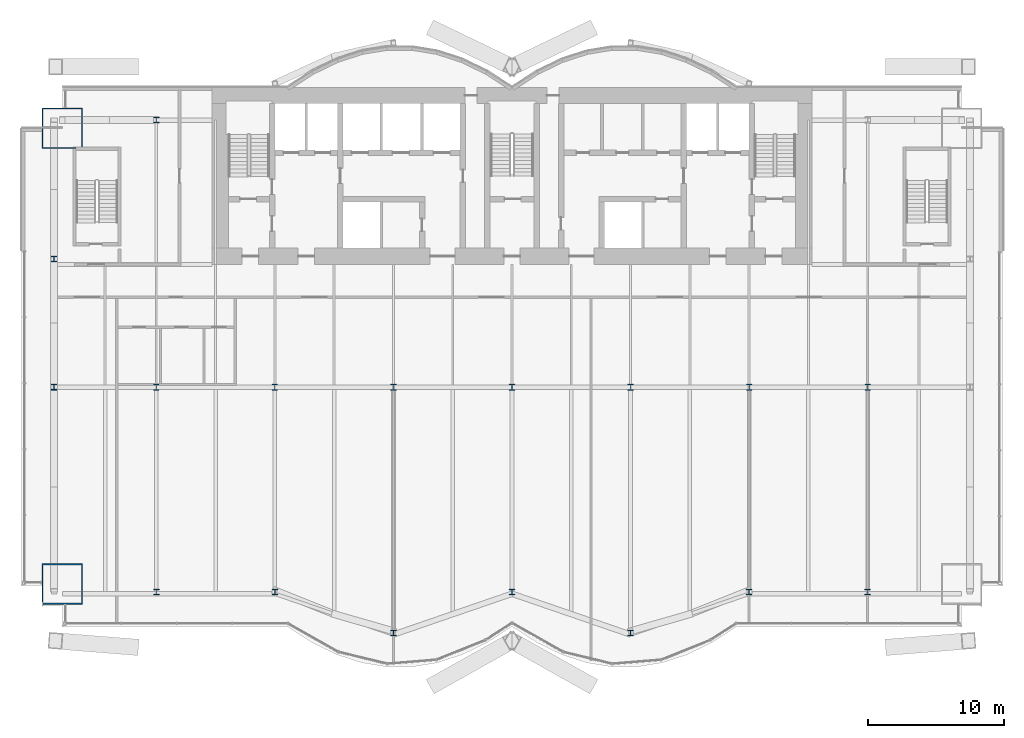
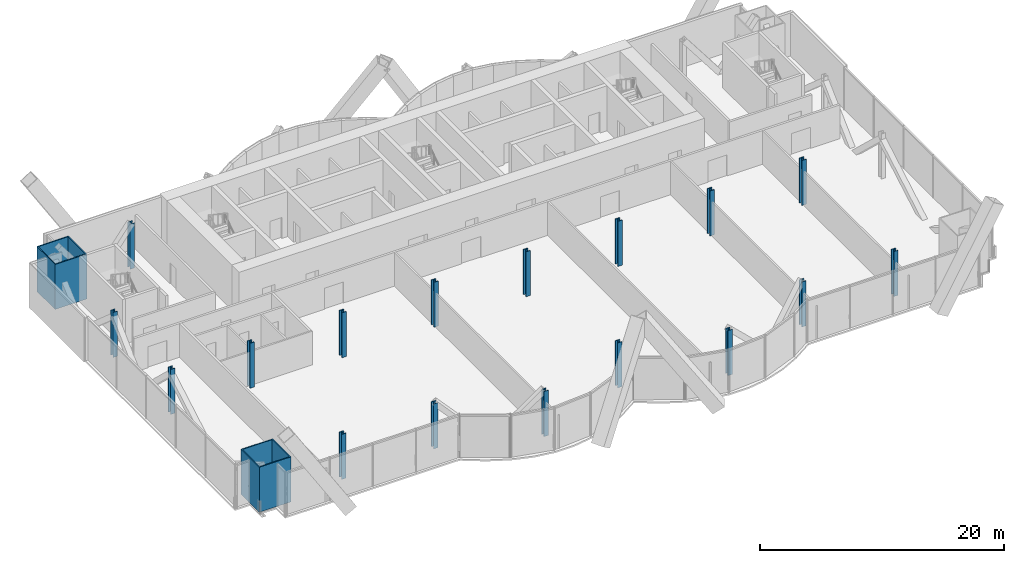
# One storey, part 1 of 21: 19 columns.
"""IFC4 building model written with IfcOpenShell, lengths in metres."""

import ifcopenshell
import ifcopenshell.guid

model = None  # the IFC model being written
_history = None  # IfcOwnerHistory: only IFC2X3 demands one
_inside = {}  # id of a spatial element -> (the spatial element, [elements in it])
_under = {}  # id of a project, library or spatial element -> (it, [spatial elements below it])
_declared = {}  # id of a project -> (the project, [libraries it declares])
_typed = {}  # id of a type object -> (the type object, [elements of that type])
_made_of = {}  # id of a material, layer set ... -> (it, [elements and type objects made of it])


def new_model(schema):
    """Start an empty IFC model of exactly this schema.

    Asked for "IFC4X3", IfcOpenShell would pick the latest addendum, in which some entities
    have other attributes; the version numbers below select the first issue.
    IFC2X3 requires an IfcOwnerHistory on every rooted entity: one is made here for all.
    """
    global model, _history
    if schema == "IFC4X3":
        model = ifcopenshell.file(schema_version=(4, 3, 0, 0))
    else:
        model = ifcopenshell.file(schema=schema)
    _inside.clear()
    _under.clear()
    _declared.clear()
    _typed.clear()
    _made_of.clear()
    _history = None
    if model.schema == "IFC2X3":
        org = make("IfcOrganization", Name="unknown")
        user = make(
            "IfcPersonAndOrganization",
            ThePerson=make("IfcPerson", FamilyName="unknown"),
            TheOrganization=org,
        )
        app = make(
            "IfcApplication",
            ApplicationDeveloper=org,
            Version="unknown",
            ApplicationFullName="unknown",
            ApplicationIdentifier="unknown",
        )
        _history = make(
            "IfcOwnerHistory",
            OwningUser=user,
            OwningApplication=app,
            ChangeAction="ADDED",
            CreationDate=0,
        )
    return model


def make(cls, **values):
    """One entity of the class cls with the attributes given. An attribute that is None is left unset."""
    return model.create_entity(
        cls, **{name: value for name, value in values.items() if value is not None}
    )


def rooted(cls, **values):
    """An entity with a GlobalId (a new one), such as an element, a storey or a relation."""
    return make(cls, GlobalId=ifcopenshell.guid.new(), OwnerHistory=_history, **values)


def si_unit(unit_type, name, prefix=None):
    """IfcSIUnit, for example si_unit("LENGTHUNIT", "METRE", prefix="MILLI")."""
    return make("IfcSIUnit", UnitType=unit_type, Prefix=prefix, Name=name)


def assignment(units):
    """IfcUnitAssignment: the units of a project."""
    return None if units is None else make("IfcUnitAssignment", Units=units)


def point(xyz):
    """IfcCartesianPoint."""
    return None if xyz is None else make("IfcCartesianPoint", Coordinates=xyz)


def direction(xyz):
    """IfcDirection."""
    return None if xyz is None else make("IfcDirection", DirectionRatios=xyz)


def frame(location, z_axis=None, x_axis=None):
    """IfcAxis2Placement3D, a coordinate frame: its origin and axes. An axis left out is left unset."""
    return make(
        "IfcAxis2Placement3D",
        Location=point(location),
        Axis=direction(z_axis),
        RefDirection=direction(x_axis),
    )


def frame_2d(location, x_axis=None):
    """IfcAxis2Placement2D, a coordinate frame in the plane: its origin and x axis."""
    return make(
        "IfcAxis2Placement2D", Location=point(location), RefDirection=direction(x_axis)
    )


def origin():
    """The frame at (0, 0, 0) with its axes left unset."""
    return frame((0.0, 0.0, 0.0))


def origin_2d():
    """The frame at (0, 0) in the plane with its x axis left unset."""
    return frame_2d((0.0, 0.0))


def place(relative_to, where):
    """IfcLocalPlacement: puts the frame where relative to a parent placement (None: the world)."""
    return make(
        "IfcLocalPlacement", PlacementRelTo=relative_to, RelativePlacement=where
    )


def context(
    kind, dimensions, precision=None, world=None, true_north=None, identifier=None
):
    """IfcGeometricRepresentationContext, for example the 3D "Model" context."""
    return make(
        "IfcGeometricRepresentationContext",
        ContextIdentifier=identifier,
        ContextType=kind,
        CoordinateSpaceDimension=dimensions,
        Precision=precision,
        WorldCoordinateSystem=world,
        TrueNorth=true_north,
    )


def subcontext(parent, identifier, kind, view, scale=None):
    """IfcGeometricRepresentationSubContext, for example "Body" below "Model"."""
    return make(
        "IfcGeometricRepresentationSubContext",
        ContextIdentifier=identifier,
        ContextType=kind,
        ParentContext=parent,
        TargetScale=scale,
        TargetView=view,
    )


def project(units=None, contexts=None):
    """IfcProject with its units and contexts."""
    return rooted(
        "IfcProject",
        Name="project",
        RepresentationContexts=contexts,
        UnitsInContext=assignment(units),
    )


def spatial(cls, under=None, at=None, **own):
    """A site, building, storey or space (cls), placed at a placement, below another one or the project."""
    s = rooted(cls, ObjectPlacement=at, **own)
    if under is not None:
        _under.setdefault(under.id(), (under, []))[1].append(s)
    return s


def profile(cls, at=None, kind="AREA", **sizes):
    """A parametric profile (cls). Its sizes go by their IFC names, for example OverallWidth=200.0."""
    return make(cls, ProfileType=kind, Position=at, **sizes)


def hollow_rectangle(**sizes):
    """IfcRectangleHollowProfileDef."""
    return profile("IfcRectangleHollowProfileDef", **sizes)


def i_section(**sizes):
    """IfcIShapeProfileDef."""
    return profile("IfcIShapeProfileDef", **sizes)


def extrude(swept, where, along, depth):
    """IfcExtrudedAreaSolid: the profile swept, set in the frame where, extruded along a direction by depth."""
    return make(
        "IfcExtrudedAreaSolid",
        SweptArea=swept,
        Position=where,
        ExtrudedDirection=direction(along),
        Depth=depth,
    )


def shape(context_of_items, identifier, shape_type, items):
    """IfcShapeRepresentation: the items that make up one representation, for example the "Body"."""
    return make(
        "IfcShapeRepresentation",
        ContextOfItems=context_of_items,
        RepresentationIdentifier=identifier,
        RepresentationType=shape_type,
        Items=items,
    )


def material(Name=None, Category=None):
    """IfcMaterial."""
    return make("IfcMaterial", Name=Name, Category=Category)


def material_profile(
    of_material, cross_section, Name=None, Category=None, Priority=None
):
    """IfcMaterialProfile: a cross section and its material."""
    return make(
        "IfcMaterialProfile",
        Name=Name,
        Material=of_material,
        Profile=cross_section,
        Priority=Priority,
        Category=Category,
    )


def profile_set(profiles, Name=None, composite=None):
    """IfcMaterialProfileSet."""
    return make(
        "IfcMaterialProfileSet",
        Name=Name,
        MaterialProfiles=profiles,
        CompositeProfile=composite,
    )


def made_of(thing, what):
    """Note that an element or type object is made of a material, layer set ...; save() writes the relation."""
    if what is not None:
        _made_of.setdefault(what.id(), (what, []))[1].append(thing)
    return thing


def type_object(cls, material=None, **own):
    """A type object (cls), such as IfcWallType, which elements share."""
    return made_of(rooted(cls, **own), material)


def element(
    cls,
    number,
    at=None,
    inside=None,
    cuts=None,
    type_object=None,
    material=None,
    context=None,
    identifier="Body",
    shape_type=None,
    held_by="IfcProductDefinitionShape",
    body=None,
    shapes=None,
    **own,
):
    """One element of the class cls, such as IfcWall. Its Tag is "e" and its number.

    at: its placement. inside: the storey or other place that contains it. cuts: it is an
    opening in that element (IfcRelVoidsElement). A single representation is given by context,
    identifier, shape_type and body (its items); several are given by shapes. held_by: the class
    of the entity that holds the representations. save() writes the other relations.
    """
    e = rooted(cls, Tag="e%d" % number, ObjectPlacement=at, **own)
    if body is not None:
        shapes = [shape(context, identifier, shape_type, body)]
    if shapes is not None:
        e.Representation = make(held_by, Representations=shapes)
    if inside is not None:
        _inside.setdefault(inside.id(), (inside, []))[1].append(e)
    if cuts is not None:
        rooted(
            "IfcRelVoidsElement", RelatingBuildingElement=cuts, RelatedOpeningElement=e
        )
    if type_object is not None:
        _typed.setdefault(type_object.id(), (type_object, []))[1].append(e)
    return made_of(e, material)


def aggregate(whole, parts):
    """IfcRelAggregates: a whole, such as a stair, and the parts it consists of."""
    return rooted("IfcRelAggregates", RelatingObject=whole, RelatedObjects=parts)


def save(model, path):
    """Write the relations noted so far, then the file.

    IfcRelAggregates (storeys below a building ...), IfcRelContainedInSpatialStructure (elements
    in a storey), IfcRelDefinesByType, IfcRelAssociatesMaterial and IfcRelDeclares: one each for
    every whole, place, type object, material and project.
    """
    for whole, parts in _under.values():
        aggregate(whole, parts)
    for where, things in _inside.values():
        rooted(
            "IfcRelContainedInSpatialStructure",
            RelatedElements=things,
            RelatingStructure=where,
        )
    for kind, things in _typed.values():
        rooted("IfcRelDefinesByType", RelatedObjects=things, RelatingType=kind)
    for what, things in _made_of.values():
        rooted("IfcRelAssociatesMaterial", RelatedObjects=things, RelatingMaterial=what)
    for by, libraries in _declared.values():
        rooted("IfcRelDeclares", RelatingContext=by, RelatedDefinitions=libraries)
    model.write(path)


model = new_model("IFC4")

# Units and contexts
model_context = context("Model", 3, precision=1e-05, world=origin(), true_north=direction((0.0, 1.0)))
body_context = subcontext(model_context, "Body", "Model", "MODEL_VIEW")
ifc_project = project(units=[si_unit("LENGTHUNIT", "METRE"), si_unit("AREAUNIT", "SQUARE_METRE"), si_unit("VOLUMEUNIT", "CUBIC_METRE"), si_unit("PLANEANGLEUNIT", "RADIAN"), si_unit("MASSUNIT", "GRAM", prefix="KILO")], contexts=[model_context])

# Site, building, storey
site_placement = place(None, origin())
site = spatial("IfcSite", under=ifc_project, at=site_placement, CompositionType="ELEMENT")
building_placement = place(site_placement, origin())
building = spatial("IfcBuilding", under=site, at=building_placement, Name="Bicima Exchange Tower", CompositionType="ELEMENT")
storey_placement = place(building_placement, frame((0.0, 0.0, 80.0)))
storey = spatial("IfcBuildingStorey", under=building, at=storey_placement, Name="L16", CompositionType="ELEMENT", Elevation=80.0)

# Columns
ifc_material_1 = material(Name="Steel ASTM A992 Gr 50", Category="steel")
ifc_material_profile_1 = material_profile(ifc_material_1, i_section(OverallWidth=0.419189453125, OverallDepth=0.45458984375, WebThickness=0.042236328125, FlangeThickness=0.067626953125, at=origin_2d()))
ifc_profile_set_1 = profile_set([ifc_material_profile_1], Name="Steel ASTM A992 Gr 50")
column_type_1 = type_object("IfcColumnType", Name="Interior column W14x370", PredefinedType="COLUMN", material=ifc_profile_set_1)
for number, where, z_axis, x_axis, name in (
    (1, (-26.10009765625, -22.0, 0.0), (0.0, 0.0, 1.0), (1.0, 0.0, 0.0), "Interior column interior-26.1i"),
    (2, (-17.39990234375, -22.0, 0.0), (0.0, 0.0, 1.0), (1.0, 0.0, 0.0), "Interior column interior-17.4i"),
    (3, (-8.699951171875, -22.0, 0.0), (0.0, 0.0, 1.0), (1.0, 0.0, 0.0), "Interior column interior-8.7i"),
    (4, (0.0, -22.0, 0.0), (0.0, 0.0, 1.0), (1.0, 0.0, 0.0), "Interior column interior+0.0i"),
    (5, (8.699951171875, -22.0, 0.0), (0.0, 0.0, 1.0), (1.0, 0.0, 0.0), "Interior column interior+8.7i"),
    (6, (17.39990234375, -22.0, 0.0), (0.0, 0.0, 1.0), (1.0, 0.0, 0.0), "Interior column interior+17.4i"),
    (7, (26.10009765625, -22.0, 0.0), (0.0, 0.0, 1.0), (1.0, 0.0, 0.0), "Interior column interior+26.1i"),
):
    element("IfcColumn", number, at=place(storey_placement, frame(where, z_axis=z_axis, x_axis=x_axis)), inside=storey, type_object=column_type_1, Name=name, PredefinedType="COLUMN", context=body_context, shape_type="SweptSolid", body=[
        extrude(i_section(OverallWidth=0.419189453125, OverallDepth=0.45458984375, WebThickness=0.042236328125, FlangeThickness=0.067626953125, at=origin_2d()), origin(), (0.0, 0.0, 1.0), 4.5),
    ])
ifc_material_2 = material(Name="Steel ASTM A572 Gr 50", Category="steel")
ifc_material_profile_2 = material_profile(ifc_material_2, hollow_rectangle(XDim=3.0, YDim=3.0, WallThickness=0.10009765625, at=origin_2d()))
ifc_profile_set_2 = profile_set([ifc_material_profile_2], Name="Steel ASTM A572 Gr 50")
column_type_2 = type_object("IfcColumnType", Name="Mega column BOX 3000x3000x100", PredefinedType="COLUMN", material=ifc_profile_set_2)
for number, where, z_axis, x_axis, name in (
    (8, (-33.0, -36.43798828125, 0.0), (0.0, 0.0, 1.0), (1.0, 0.0, 0.0), "Mega column mega-33.0f"),
    (9, (-33.0, -3.0, 0.0), (0.0, 0.0, 1.0), (1.0, 0.0, 0.0), "Mega column mega-33.0r"),
):
    element("IfcColumn", number, at=place(storey_placement, frame(where, z_axis=z_axis, x_axis=x_axis)), inside=storey, type_object=column_type_2, Name=name, PredefinedType="COLUMN", context=body_context, shape_type="SweptSolid", body=[
        extrude(hollow_rectangle(XDim=3.0, YDim=3.0, WallThickness=0.10009765625, at=origin_2d()), origin(), (0.0, 0.0, 1.0), 4.5),
    ])
ifc_material_profile_3 = material_profile(ifc_material_1, i_section(OverallWidth=0.406494140625, OverallDepth=0.41650390625, WebThickness=0.030029296875, FlangeThickness=0.048095703125, at=origin_2d()))
ifc_profile_set_3 = profile_set([ifc_material_profile_3], Name="Steel ASTM A992 Gr 50")
column_type_3 = type_object("IfcColumnType", Name="Perimeter column W14x257", PredefinedType="COLUMN", material=ifc_profile_set_3)
for number, where, z_axis, x_axis, name in (
    (10, (-26.10009765625, -37.0380859375, 0.0), (0.0, 0.0, 1.0), (1.0, 0.0, 0.0), "Perimeter column grav-26.1f"),
    (11, (-26.10009765625, -2.39990234375, 0.0), (0.0, 0.0, 1.0), (1.0, 0.0, 0.0), "Perimeter column grav-26.1r"),
    (12, (-17.39990234375, -37.0380859375, 0.0), (0.0, 0.0, 1.0), (1.0, 0.0, 0.0), "Perimeter column grav-17.4f"),
    (13, (-8.699951171875, -40.029052734375, 0.0), (0.0, 0.0, 1.0), (1.0, 0.0, 0.0), "Perimeter column grav-8.7f"),
    (14, (0.0, -37.0380859375, 0.0), (0.0, 0.0, 1.0), (1.0, 0.0, 0.0), "Perimeter column grav-0.0f"),
    (15, (8.699951171875, -40.029052734375, 0.0), (0.0, 0.0, 1.0), (1.0, 0.0, 0.0), "Perimeter column grav+8.7f"),
    (16, (17.39990234375, -37.0380859375, 0.0), (0.0, 0.0, 1.0), (1.0, 0.0, 0.0), "Perimeter column grav+17.4f"),
    (17, (26.10009765625, -37.0380859375, 0.0), (0.0, 0.0, 1.0), (1.0, 0.0, 0.0), "Perimeter column grav+26.1f"),
    (18, (-33.60009765625, -12.60009765625, 0.0), (0.0, 0.0, 1.0), (1.0, 0.0, 0.0), "End column end-33.6e"),
    (19, (-33.60009765625, -22.0, 0.0), (0.0, 0.0, 1.0), (1.0, 0.0, 0.0), "End column end-33.6e"),
):
    element("IfcColumn", number, at=place(storey_placement, frame(where, z_axis=z_axis, x_axis=x_axis)), inside=storey, type_object=column_type_3, Name=name, PredefinedType="COLUMN", context=body_context, shape_type="SweptSolid", body=[
        extrude(i_section(OverallWidth=0.406494140625, OverallDepth=0.41650390625, WebThickness=0.030029296875, FlangeThickness=0.048095703125, at=origin_2d()), origin(), (0.0, 0.0, 1.0), 4.5),
    ])

save(model, "model.ifc")
